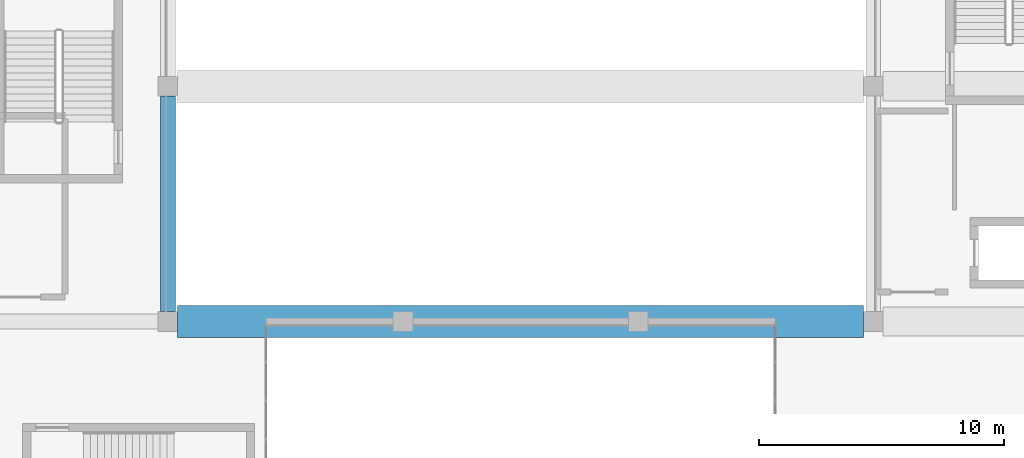
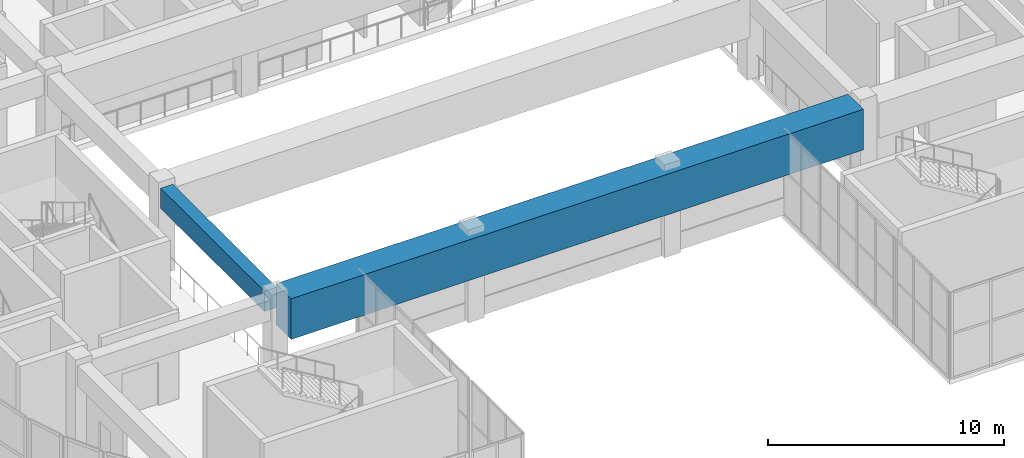
# One storey, part 4 of 33: 2 beams.
"""IFC4 building model written with IfcOpenShell, lengths in metres."""

from ifc_helpers import new_model, si_unit, direction, frame, origin, origin_2d, place, context, subcontext, project, spatial, rectangle, extrude, material, material_profile, profile_set, type_object, element, save


model = new_model("IFC4")

# Units and contexts
model_context = context("Model", 3, precision=1e-05, world=origin(), true_north=direction((0.0, 1.0)))
body_context = subcontext(model_context, "Body", "Model", "MODEL_VIEW")
ifc_project = project(units=[si_unit("LENGTHUNIT", "METRE"), si_unit("AREAUNIT", "SQUARE_METRE"), si_unit("VOLUMEUNIT", "CUBIC_METRE"), si_unit("PLANEANGLEUNIT", "RADIAN"), si_unit("MASSUNIT", "GRAM", prefix="KILO")], contexts=[model_context])

# Site, building, storey
site_placement = place(None, origin())
site = spatial("IfcSite", under=ifc_project, at=site_placement, CompositionType="ELEMENT")
building_placement = place(site_placement, origin())
building = spatial("IfcBuilding", under=site, at=building_placement, Name="Cendralis Terraced Arcade", CompositionType="ELEMENT")
storey_placement = place(building_placement, frame((0.0, 0.0, 19.800048828125)))
storey = spatial("IfcBuildingStorey", under=building, at=storey_placement, Name="L04", CompositionType="ELEMENT", Elevation=19.800048828125)

# Beams
ifc_material_1 = material(Name="Concrete f'c 35 MPa", Category="concrete")
ifc_material_profile_1 = material_profile(ifc_material_1, rectangle(XDim=0.60009765625, YDim=1.050048828125, at=origin_2d()), Name="RC-BM-600x1050", Category="LoadBearing")
ifc_profile_set_1 = profile_set([ifc_material_profile_1], Name="Concrete f'c 35 MPa")
beam_type_1 = type_object("IfcBeamType", Name="BM-600x1050", PredefinedType="JOIST", material=ifc_profile_set_1)
beam_1_placement = place(storey_placement, frame((19.199951171875, 19.60009765625, 3.954833984375), z_axis=(0.0, 1.0, 0.0), x_axis=(-1.0, 0.0, 0.0)))
element("IfcBeam", 1, at=beam_1_placement, inside=storey, type_object=beam_type_1, Name="Reinforced Concrete Frame Beam BM-Y-L05-3-C_D", PredefinedType="JOIST", context=body_context, shape_type="SweptSolid", body=[
    extrude(rectangle(XDim=0.60009765625, YDim=1.050048828125, at=origin_2d()), origin(), (0.0, 0.0, 1.0), 8.7998046875),
])
ifc_material_2 = material(Name="Concrete f'c 42 MPa", Category="concrete")
ifc_material_profile_2 = material_profile(ifc_material_2, rectangle(XDim=1.300048828125, YDim=2.10009765625, at=origin_2d()), Name="RC-TG-1300x2100", Category="LoadBearing")
ifc_profile_set_2 = profile_set([ifc_material_profile_2], Name="Concrete f'c 42 MPa")
beam_type_2 = type_object("IfcBeamType", Name="BM-TG-1300x2100", PredefinedType="USERDEFINED", material=ifc_profile_set_2)
beam_2_placement = place(storey_placement, frame((19.60009765625, 19.199951171875, 3.429931640625), z_axis=(1.0, 0.0, 0.0), x_axis=(0.0, 1.0, 0.0)))
element("IfcBeam", 2, at=beam_2_placement, inside=storey, type_object=beam_type_2, Name="Atrium Bridge Transfer Girder TG-ATR-L05-C", ObjectType="TRANSFER GIRDER", PredefinedType="USERDEFINED", context=body_context, shape_type="SweptSolid", body=[
    extrude(rectangle(XDim=1.300048828125, YDim=2.10009765625, at=origin_2d()), origin(), (0.0, 0.0, 1.0), 28.0),
])

save(model, "model.ifc")
